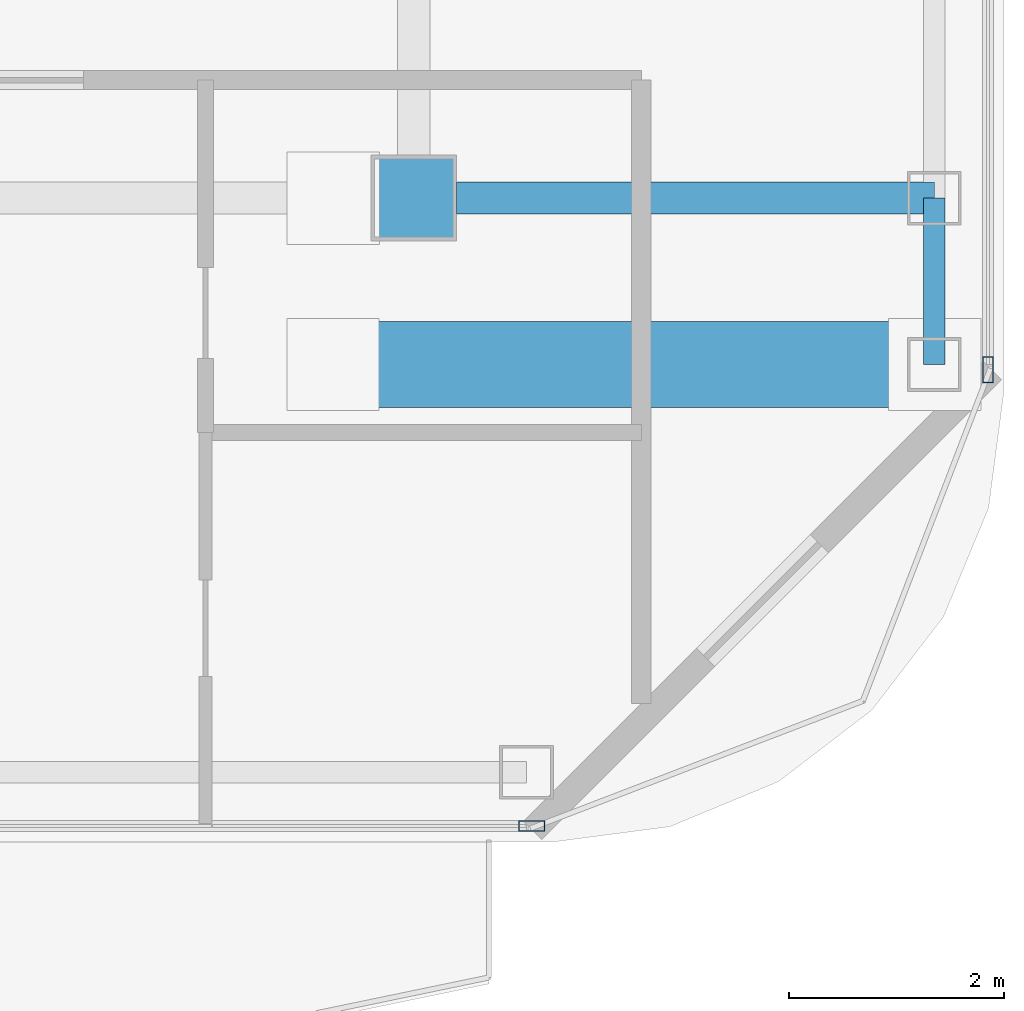
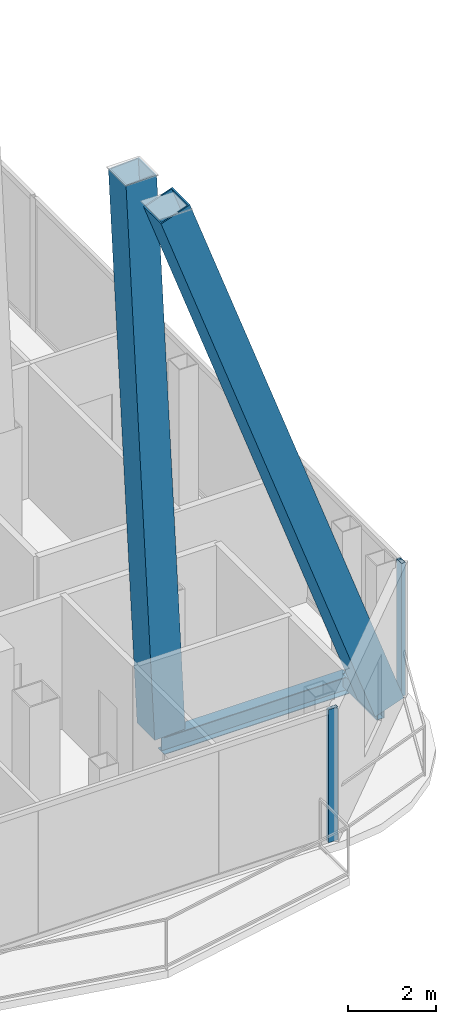
# One storey, part 7 of 27: 4 members, 2 beams, 2 elements without a shape of their own.
"""IFC4 building model written with IfcOpenShell, lengths in metres."""

from ifc_helpers import new_model, si_unit, direction, frame, origin, origin_2d, place, context, subcontext, project, spatial, hollow_rectangle, i_section, extrude, material, layer, layer_set, material_profile, profile_set, type_object, element, aggregate, save


model = new_model("IFC4")

# Units and contexts
model_context = context("Model", 3, precision=1e-05, world=origin(), true_north=direction((0.0, 1.0)))
body_context = subcontext(model_context, "Body", "Model", "MODEL_VIEW")
ifc_project = project(units=[si_unit("LENGTHUNIT", "METRE"), si_unit("AREAUNIT", "SQUARE_METRE"), si_unit("VOLUMEUNIT", "CUBIC_METRE"), si_unit("PLANEANGLEUNIT", "RADIAN"), si_unit("MASSUNIT", "GRAM", prefix="KILO")], contexts=[model_context])

# Site, building, storey
site_placement = place(None, origin())
site = spatial("IfcSite", under=ifc_project, at=site_placement, CompositionType="ELEMENT")
building_placement = place(site_placement, origin())
building = spatial("IfcBuilding", under=site, at=building_placement, Name="Khorvyn Point Tower", CompositionType="ELEMENT")
storey_placement = place(building_placement, frame((0.0, 0.0, 270.300048828125)))
storey = spatial("IfcBuildingStorey", under=building, at=storey_placement, Name="L66", CompositionType="ELEMENT", Elevation=270.300048828125)

# Curtain wall, member
ifc_material_1 = material(Name="Anodised aluminium 6063-T6 and laminated Low-E glass", Category="aluminium")
ifc_layer = layer(ifc_material_1, 0.18994140625)
ifc_layer_set = layer_set([ifc_layer], Name="Stick-Built High-Wind Curtain Wall CW-SYS-04")
curtain_wall_type = type_object("IfcCurtainWallType", Name="Stick-Built High-Wind Curtain Wall CW-SYS-04", PredefinedType="NOTDEFINED", material=ifc_layer_set)
curtain_wall_1_placement = place(storey_placement, origin())
curtain_wall_1 = element("IfcCurtainWall", 1, at=curtain_wall_1_placement, inside=storey, type_object=curtain_wall_type, Name="Curtain Wall", PredefinedType="NOTDEFINED")
ifc_material_2 = material(Name="Anodised aluminium 6063-T6", Category="aluminium")
ifc_material_profile_1 = material_profile(ifc_material_2, hollow_rectangle(XDim=0.10009765625, YDim=0.239990234375, WallThickness=0.0048828125, at=origin_2d()))
ifc_profile_set_1 = profile_set([ifc_material_profile_1], Name="Anodised aluminium 6063-T6 ALU-MUL-100x240")
member_type_1 = type_object("IfcMemberType", Name="Anodised Aluminium 6063-T6 Mullion ALU-MUL-100x240", PredefinedType="MULLION", material=ifc_profile_set_1)
member_1_placement = place(storey_placement, frame((20.5, -20.64990234375, 0.0), z_axis=(0.0, 0.0, 1.0), x_axis=(0.0, -1.0, 0.0)))
member_1 = element("IfcMember", 2, at=member_1_placement, type_object=member_type_1, Name="Transom", PredefinedType="MULLION", context=body_context, shape_type="SweptSolid", body=[
    extrude(hollow_rectangle(XDim=0.10009765625, YDim=0.239990234375, WallThickness=0.0048828125, at=origin_2d()), origin(), (0.0, 0.0, 1.0), 3.679931640625),
])
aggregate(curtain_wall_1, [member_1])

curtain_wall_2_placement = place(storey_placement, origin())
curtain_wall_2 = element("IfcCurtainWall", 3, at=curtain_wall_2_placement, inside=storey, type_object=curtain_wall_type, Name="Curtain Wall", PredefinedType="NOTDEFINED")
member_2_placement = place(storey_placement, frame((24.75, -16.39990234375, 0.0), z_axis=(0.0, 0.0, 1.0), x_axis=(1.0, 0.0, 0.0)))
member_2 = element("IfcMember", 4, at=member_2_placement, type_object=member_type_1, Name="Transom", PredefinedType="MULLION", context=body_context, shape_type="SweptSolid", body=[
    extrude(hollow_rectangle(XDim=0.10009765625, YDim=0.239990234375, WallThickness=0.0048828125, at=origin_2d()), origin(), (0.0, 0.0, 1.0), 3.679931640625),
])
aggregate(curtain_wall_2, [member_2])

# Beams
ifc_material_3 = material(Name="Steel S355", Category="steel")
ifc_material_profile_2 = material_profile(ifc_material_3, i_section(OverallWidth=0.300048828125, OverallDepth=0.488037109375, WebThickness=0.010986328125, FlangeThickness=0.01806640625, at=origin_2d()))
ifc_profile_set_2 = profile_set([ifc_material_profile_2], Name="Steel S355 H488x300x11x18")
beam_type_1 = type_object("IfcBeamType", Name="Steel S355 Spandrel H488x300x11x18", PredefinedType="SPANDREL", material=ifc_profile_set_2)
beam_1_placement = place(storey_placement, frame((19.39990234375, -14.800048828125, -0.464111328125), z_axis=(1.0, 0.0, 0.0), x_axis=(0.0, 1.0, 0.0)))
element("IfcBeam", 5, at=beam_1_placement, inside=storey, type_object=beam_type_1, Name="Beam", PredefinedType="SPANDREL", context=body_context, shape_type="SweptSolid", body=[
    extrude(i_section(OverallWidth=0.300048828125, OverallDepth=0.488037109375, WebThickness=0.010986328125, FlangeThickness=0.01806640625, at=origin_2d()), origin(), (0.0, 0.0, 1.0), 4.85009765625),
])
ifc_material_profile_3 = material_profile(ifc_material_3, hollow_rectangle(XDim=0.199951171875, YDim=0.35009765625, WallThickness=0.013916015625, at=origin_2d()))
ifc_profile_set_3 = profile_set([ifc_material_profile_3], Name="Steel S355 RHS350x200x14")
beam_type_2 = type_object("IfcBeamType", Name="Steel S355 Spandrel RHS350x200x14", PredefinedType="SPANDREL", material=ifc_profile_set_3)
beam_2_placement = place(storey_placement, frame((24.25, -16.35009765625, -0.39501953125), z_axis=(0.0, 1.0, 0.0), x_axis=(-1.0, 0.0, 0.0)))
element("IfcBeam", 6, at=beam_2_placement, inside=storey, type_object=beam_type_2, Name="Beam", PredefinedType="SPANDREL", context=body_context, shape_type="SweptSolid", body=[
    extrude(hollow_rectangle(XDim=0.199951171875, YDim=0.35009765625, WallThickness=0.013916015625, at=origin_2d()), origin(), (0.0, 0.0, 1.0), 1.550048828125),
])

# Members
ifc_material_4 = material(Name="Steel S450", Category="steel")
ifc_material_profile_4 = material_profile(ifc_material_4, hollow_rectangle(XDim=0.800048828125, YDim=0.800048828125, WallThickness=0.035888671875, at=origin_2d()))
ifc_profile_set_4 = profile_set([ifc_material_profile_4], Name="Steel S450 BOX800x800x36")
member_type_2 = type_object("IfcMemberType", Name="Steel S450 Exoskeleton Structural Post BOX800x800x36", PredefinedType="POST", material=ifc_profile_set_4)
member_3_placement = place(storey_placement, frame((24.25, -16.35009765625, 0.0), z_axis=(-0.337872783366, 0.0, 0.941191788245), x_axis=(0.0, -1.0, 0.0)))
element("IfcMember", 7, at=member_3_placement, inside=storey, type_object=member_type_2, Name="L66 to L70 Exoskeleton Transfer Post 05", PredefinedType="POST", context=body_context, shape_type="SweptSolid", body=[
    extrude(hollow_rectangle(XDim=0.800048828125, YDim=0.800048828125, WallThickness=0.035888671875, at=origin_2d()), origin(), (0.0, 0.0, 1.0), 16.574462890625),
])
member_4_placement = place(storey_placement, frame((19.39990234375, -14.800048828125, 0.0), z_axis=(-0.048021906826, 0.0, 0.998846282701), x_axis=(0.0, -1.0, 0.0)))
element("IfcMember", 8, at=member_4_placement, inside=storey, type_object=member_type_2, Name="L66 to L70 Exoskeleton Transfer Post 10", PredefinedType="POST", context=body_context, shape_type="SweptSolid", body=[
    extrude(hollow_rectangle(XDim=0.800048828125, YDim=0.800048828125, WallThickness=0.035888671875, at=origin_2d()), origin(), (0.0, 0.0, 1.0), 15.617919921875),
])

save(model, "model.ifc")
